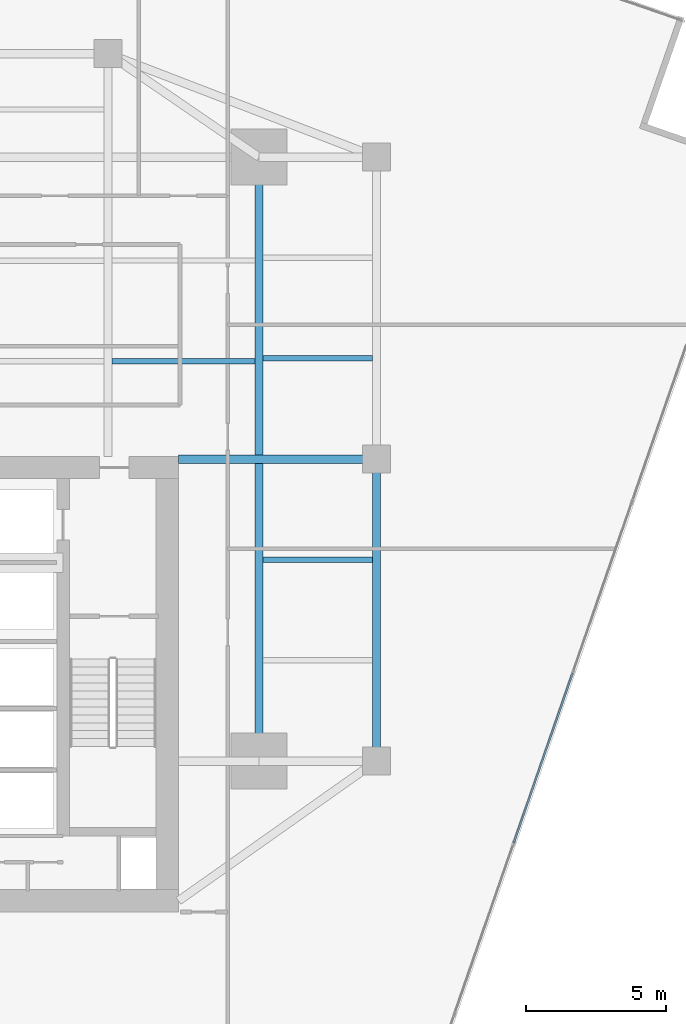
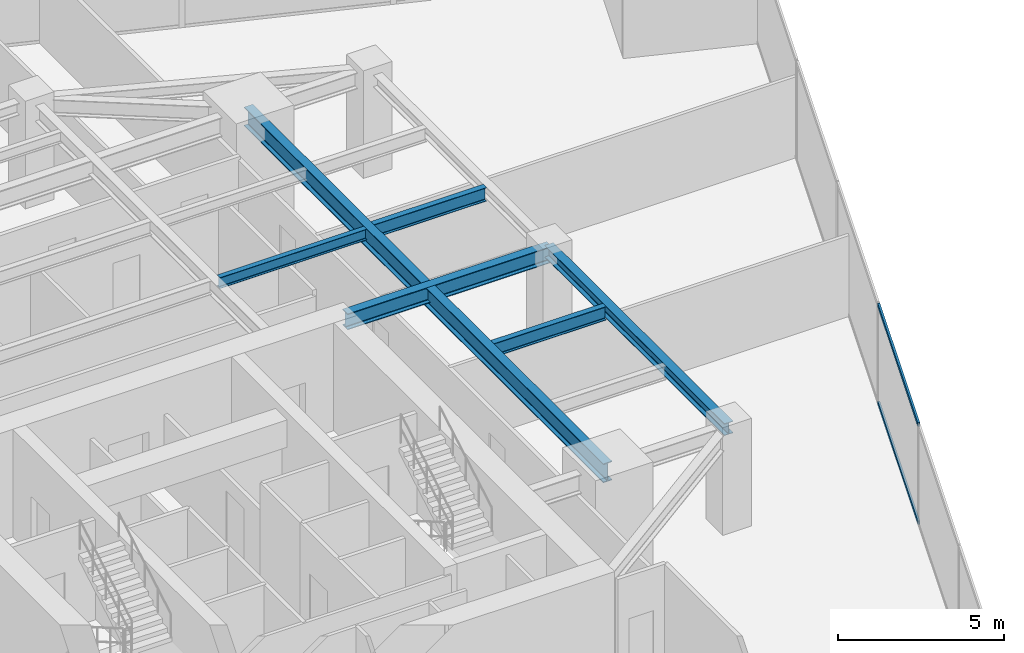
# One storey, part 12 of 27: 6 beams, 2 members, 1 element without a shape of its own.
"""IFC4 building model written with IfcOpenShell, lengths in metres."""

from ifc_helpers import new_model, si_unit, direction, frame, origin, origin_2d, place, context, subcontext, project, spatial, hollow_rectangle, i_section, extrude, source, transform, mapped, material, material_profile, profile_set, type_object, type_shapes, element, aggregate, save


model = new_model("IFC4")

# Units and contexts
model_context = context("Model", 3, precision=1e-05, world=origin(), true_north=direction((0.0, 1.0)))
body_context = subcontext(model_context, "Body", "Model", "MODEL_VIEW")
ifc_project = project(units=[si_unit("LENGTHUNIT", "METRE"), si_unit("AREAUNIT", "SQUARE_METRE"), si_unit("VOLUMEUNIT", "CUBIC_METRE"), si_unit("PLANEANGLEUNIT", "RADIAN"), si_unit("MASSUNIT", "GRAM", prefix="KILO")], contexts=[model_context])

# Site, building, storey
site_placement = place(None, origin())
site = spatial("IfcSite", under=ifc_project, at=site_placement, CompositionType="ELEMENT")
building_placement = place(site_placement, origin())
building = spatial("IfcBuilding", under=site, at=building_placement, Name="Krantzveldt Concourse Tower", CompositionType="ELEMENT")
storey_placement = place(building_placement, frame((0.0, 0.0, 121.64990234375)))
storey = spatial("IfcBuildingStorey", under=building, at=storey_placement, Name="L29", CompositionType="ELEMENT", Elevation=121.64990234375)

# Beams
ifc_material_1 = material(Name="Steel S355J2", Category="steel")
ifc_material_profile_1 = material_profile(ifc_material_1, i_section(OverallWidth=0.300048828125, OverallDepth=0.699951171875, WebThickness=0.01708984375, FlangeThickness=0.031982421875, FilletRadius=0.027099609375, at=origin_2d()), Name="Steel S355J2", Category="steel")
ifc_profile_set_1 = profile_set([ifc_material_profile_1], Name="Steel S355J2 - HEB 700")
beam_type_1 = type_object("IfcBeamType", Name="BM-B-HEB700", PredefinedType="BEAM", material=ifc_profile_set_1)
shared_shape_1 = source(origin(), body_context, "Body", "SweptSolid", [
    extrude(i_section(OverallWidth=0.300048828125, OverallDepth=0.699951171875, WebThickness=0.01708984375, FlangeThickness=0.031982421875, FilletRadius=0.027099609375, at=origin_2d()), origin(), (0.0, 0.0, 1.0), 21.60009765625),
])
type_shapes(beam_type_1, [shared_shape_1])
beam_1_placement = place(storey_placement, frame((46.800048828125, 15.89990234375, 3.320068359375), z_axis=(0.0, 1.0, 0.0), x_axis=(-1.0, 0.0, 0.0)))
element("IfcBeam", 1, at=beam_1_placement, inside=storey, type_object=beam_type_1, Name="L29 Tower Girder BG-ME", PredefinedType="BEAM", context=body_context, shape_type="MappedRepresentation", body=[
    mapped(shared_shape_1, transform((0.0, 0.0, 0.0), x_axis=(1.0, 0.0, 0.0), y_axis=(0.0, 1.0, 0.0), z_axis=(0.0, 0.0, 1.0), scale=1.0)),
])
ifc_material_2 = material(Name="Steel S355JR", Category="steel")
ifc_material_profile_2 = material_profile(ifc_material_2, i_section(OverallWidth=0.300048828125, OverallDepth=0.590087890625, WebThickness=0.012939453125, FlangeThickness=0.02490234375, FilletRadius=0.027099609375, at=origin_2d()), Name="Steel S355JR", Category="steel")
ifc_profile_set_2 = profile_set([ifc_material_profile_2], Name="Steel S355JR - HEA 600")
beam_type_2 = type_object("IfcBeamType", Name="BM-B-HEA600", PredefinedType="BEAM", material=ifc_profile_set_2)
shared_shape_2 = source(origin(), body_context, "Body", "SweptSolid", [
    extrude(i_section(OverallWidth=0.300048828125, OverallDepth=0.590087890625, WebThickness=0.012939453125, FlangeThickness=0.02490234375, FilletRadius=0.027099609375, at=origin_2d()), origin(), (0.0, 0.0, 1.0), 7.080078125),
])
type_shapes(beam_type_2, [shared_shape_2])
beam_2_placement = place(storey_placement, frame((43.919921875, 26.699951171875, 3.375), z_axis=(1.0, 0.0, 0.0), x_axis=(0.0, 1.0, 0.0)))
element("IfcBeam", 2, at=beam_2_placement, inside=storey, type_object=beam_type_2, Name="L29 Tower Girder BG-CE2", PredefinedType="BEAM", context=body_context, shape_type="MappedRepresentation", body=[
    mapped(shared_shape_2, transform((0.0, 0.0, 0.0), x_axis=(1.0, 0.0, 0.0), y_axis=(0.0, 1.0, 0.0), z_axis=(0.0, 0.0, 1.0), scale=1.0)),
])
ifc_material_profile_3 = material_profile(ifc_material_2, i_section(OverallWidth=0.300048828125, OverallDepth=0.43994140625, WebThickness=0.011474609375, FlangeThickness=0.02099609375, FilletRadius=0.027099609375, at=origin_2d()), Name="Steel S355JR", Category="steel")
ifc_profile_set_3 = profile_set([ifc_material_profile_3], Name="Steel S355JR - HEA 450")
beam_type_3 = type_object("IfcBeamType", Name="BM-SP-HEA450", PredefinedType="SPANDREL", material=ifc_profile_set_3)
shared_shape_3 = source(origin(), body_context, "Body", "SweptSolid", [
    extrude(i_section(OverallWidth=0.300048828125, OverallDepth=0.43994140625, WebThickness=0.011474609375, FlangeThickness=0.02099609375, FilletRadius=0.027099609375, at=origin_2d()), origin(), (0.0, 0.0, 1.0), 10.800048828125),
])
type_shapes(beam_type_3, [shared_shape_3])
beam_3_placement = place(storey_placement, frame((51.0, 26.699951171875, 3.4501953125), z_axis=(0.0, -1.0, 0.0), x_axis=(1.0, 0.0, 0.0)))
element("IfcBeam", 3, at=beam_3_placement, inside=storey, type_object=beam_type_3, Name="L29 Tower Girder SP-R07", PredefinedType="SPANDREL", context=body_context, shape_type="MappedRepresentation", body=[
    mapped(shared_shape_3, transform((0.0, 0.0, 0.0), x_axis=(1.0, 0.0, 0.0), y_axis=(0.0, 1.0, 0.0), z_axis=(0.0, 0.0, 1.0), scale=1.0)),
])
ifc_material_profile_4 = material_profile(ifc_material_2, i_section(OverallWidth=0.179931640625, OverallDepth=0.39990234375, WebThickness=0.008544921875, FlangeThickness=0.013427734375, FilletRadius=0.02099609375, at=origin_2d()), Name="Steel S355JR", Category="steel")
ifc_profile_set_4 = profile_set([ifc_material_profile_4], Name="Steel S355JR - IPE 400")
beam_type_4 = type_object("IfcBeamType", Name="BM-J-IPE400", PredefinedType="JOIST", material=ifc_profile_set_4)
shared_shape_4 = source(origin(), body_context, "Body", "SweptSolid", [
    extrude(i_section(OverallWidth=0.179931640625, OverallDepth=0.39990234375, WebThickness=0.008544921875, FlangeThickness=0.013427734375, FilletRadius=0.02099609375, at=origin_2d()), origin(), (0.0, 0.0, 1.0), 5.099853515625),
])
type_shapes(beam_type_4, [shared_shape_4])
beam_4_placement = place(storey_placement, frame((41.550048828125, 30.199951171875, 3.47021484375), z_axis=(1.0, 0.0, 0.0), x_axis=(0.0, 1.0, 0.0)))
element("IfcBeam", 4, at=beam_4_placement, inside=storey, type_object=beam_type_4, Name="L29 Secondary Floor Joist JN-E1", PredefinedType="JOIST", context=body_context, shape_type="MappedRepresentation", body=[
    mapped(shared_shape_4, transform((0.0, 0.0, 0.0), x_axis=(1.0, 0.0, 0.0), y_axis=(0.0, 1.0, 0.0), z_axis=(0.0, 0.0, 1.0), scale=1.0)),
])
ifc_material_profile_5 = material_profile(ifc_material_2, i_section(OverallWidth=0.199951171875, OverallDepth=0.5, WebThickness=0.01025390625, FlangeThickness=0.01611328125, FilletRadius=0.02099609375, at=origin_2d()), Name="Steel S355JR", Category="steel")
ifc_profile_set_5 = profile_set([ifc_material_profile_5], Name="Steel S355JR - IPE 500")
beam_type_5 = type_object("IfcBeamType", Name="BM-J-IPE500", PredefinedType="JOIST", material=ifc_profile_set_5)
shared_shape_5 = source(origin(), body_context, "Body", "SweptSolid", [
    extrude(i_section(OverallWidth=0.199951171875, OverallDepth=0.5, WebThickness=0.01025390625, FlangeThickness=0.01611328125, FilletRadius=0.02099609375, at=origin_2d()), origin(), (0.0, 0.0, 1.0), 3.900146484375),
])
type_shapes(beam_type_5, [shared_shape_5])
for number, where, z_axis, x_axis, name in (
    (5, (46.949951171875, 23.10009765625, 3.420166015625), (1.0, 0.0, 0.0), (0.0, 1.0, 0.0), "L29 Secondary Floor Joist JE-2"),
    (6, (46.949951171875, 30.300048828125, 3.420166015625), (1.0, 0.0, 0.0), (0.0, 1.0, 0.0), "L29 Secondary Floor Joist JE-3"),
):
    element("IfcBeam", number, at=place(storey_placement, frame(where, z_axis=z_axis, x_axis=x_axis)), inside=storey, type_object=beam_type_5, Name=name, PredefinedType="JOIST", context=body_context, shape_type="MappedRepresentation", body=[
        mapped(shared_shape_5, transform((0.0, 0.0, 0.0), x_axis=(1.0, 0.0, 0.0), y_axis=(0.0, 1.0, 0.0), z_axis=(0.0, 0.0, 1.0), scale=1.0)),
    ])

# Curtain wall, members
ifc_material_3 = material(Name="Anodised aluminium 6063-T6", Category="aluminium")
curtain_wall_type = type_object("IfcCurtainWallType", Name="CW2", PredefinedType="USERDEFINED", material=ifc_material_3)
curtain_wall_placement = place(storey_placement, origin())
curtain_wall = element("IfcCurtainWall", 7, at=curtain_wall_placement, inside=storey, type_object=curtain_wall_type, Name="CW-L29-F07", ObjectType="UNITISED CURTAIN WALL", PredefinedType="USERDEFINED")
ifc_material_profile_6 = material_profile(ifc_material_3, hollow_rectangle(XDim=0.070068359375, YDim=0.139892578125, WallThickness=0.0048828125, at=origin_2d()), Name="Anodised aluminium 6063-T6", Category="aluminium")
ifc_profile_set_6 = profile_set([ifc_material_profile_6], Name="Anodised aluminium 6063-T6 - ALU-TRAN 140x70x5")
member_type = type_object("IfcMemberType", Name="CW-TRN-150", PredefinedType="USERDEFINED", material=ifc_profile_set_6)
shared_shape_6 = source(origin(), body_context, "Body", "SweptSolid", [
    extrude(hollow_rectangle(XDim=0.070068359375, YDim=0.139892578125, WallThickness=0.0048828125, at=origin_2d()), origin(), (0.0, 0.0, 1.0), 6.396484375),
])
type_shapes(member_type, [shared_shape_6])
member_1_placement = place(storey_placement, frame((55.916259765625, 12.986328125, 0.03515625), z_axis=(0.327632258054, 0.944805325706, 0.0), x_axis=(-0.944805325706, 0.327632258054, 0.0)))
member_1 = element("IfcMember", 8, at=member_1_placement, type_object=member_type, Name="CW-Z12 transom 3.1", ObjectType="TRANSOM", PredefinedType="USERDEFINED", context=body_context, shape_type="MappedRepresentation", body=[
    mapped(shared_shape_6, transform((0.0, 0.0, 0.0), x_axis=(1.0, 0.0, 0.0), y_axis=(0.0, 1.0, 0.0), z_axis=(0.0, 0.0, 1.0), scale=1.0)),
])
member_2_placement = place(storey_placement, frame((55.916259765625, 12.986328125, 3.635009765625), z_axis=(0.327632258054, 0.944805325706, 0.0), x_axis=(-0.944805325706, 0.327632258054, 0.0)))
member_2 = element("IfcMember", 9, at=member_2_placement, type_object=member_type, Name="CW-Z12 transom 3.2", ObjectType="TRANSOM", PredefinedType="USERDEFINED", context=body_context, shape_type="MappedRepresentation", body=[
    mapped(shared_shape_6, transform((0.0, 0.0, 0.0), x_axis=(1.0, 0.0, 0.0), y_axis=(0.0, 1.0, 0.0), z_axis=(0.0, 0.0, 1.0), scale=1.0)),
])
aggregate(curtain_wall, [member_1, member_2])

save(model, "model.ifc")
